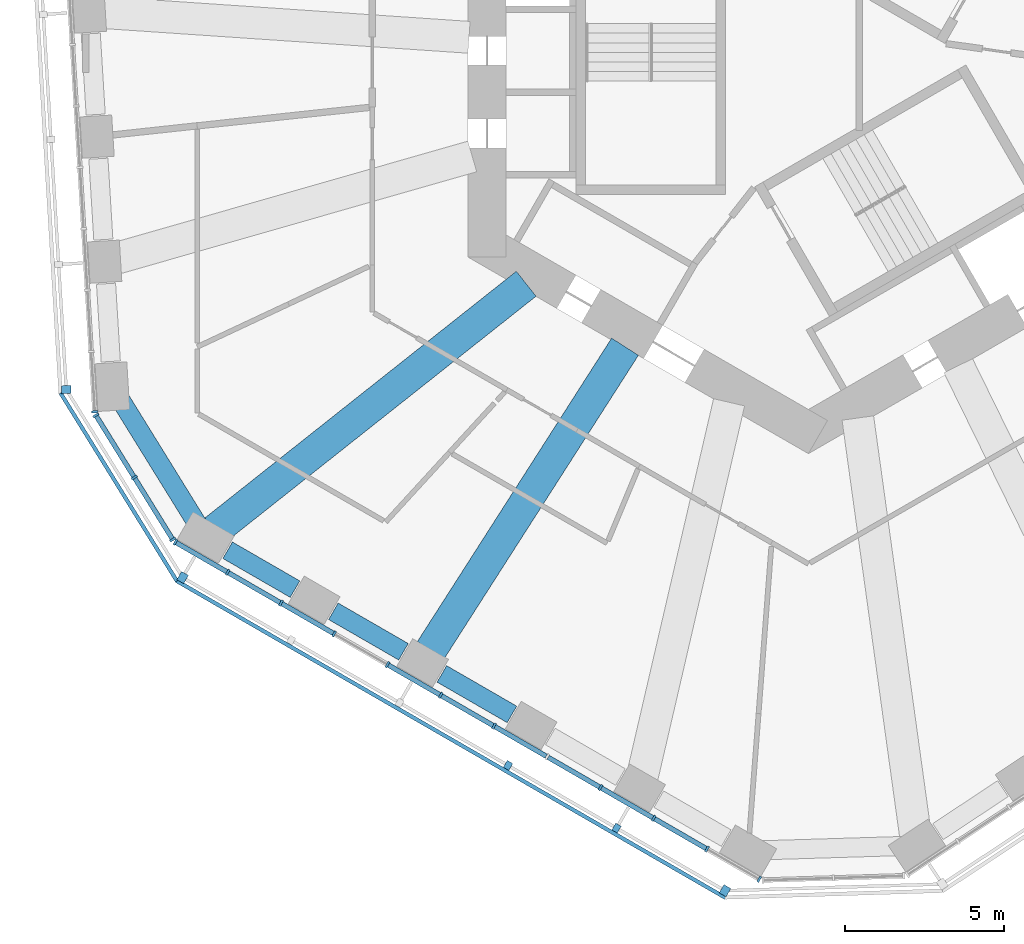
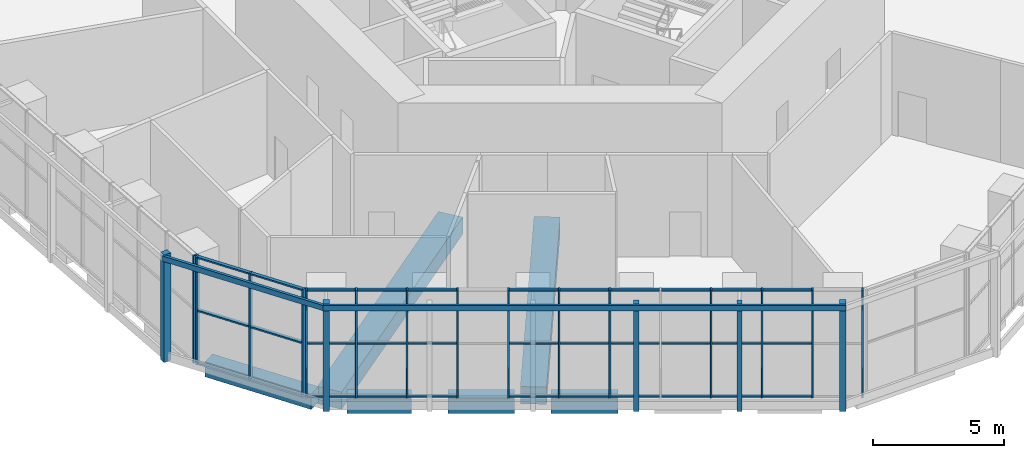
# One storey, part 2 of 19: 55 members, 6 beams, 6 elements without a shape of their own.
"""IFC4 building model written with IfcOpenShell, lengths in metres."""

import ifcopenshell
import ifcopenshell.guid

model = None  # the IFC model being written
_history = None  # IfcOwnerHistory: only IFC2X3 demands one
_inside = {}  # id of a spatial element -> (the spatial element, [elements in it])
_under = {}  # id of a project, library or spatial element -> (it, [spatial elements below it])
_declared = {}  # id of a project -> (the project, [libraries it declares])
_typed = {}  # id of a type object -> (the type object, [elements of that type])
_made_of = {}  # id of a material, layer set ... -> (it, [elements and type objects made of it])


def new_model(schema):
    """Start an empty IFC model of exactly this schema.

    Asked for "IFC4X3", IfcOpenShell would pick the latest addendum, in which some entities
    have other attributes; the version numbers below select the first issue.
    IFC2X3 requires an IfcOwnerHistory on every rooted entity: one is made here for all.
    """
    global model, _history
    if schema == "IFC4X3":
        model = ifcopenshell.file(schema_version=(4, 3, 0, 0))
    else:
        model = ifcopenshell.file(schema=schema)
    _inside.clear()
    _under.clear()
    _declared.clear()
    _typed.clear()
    _made_of.clear()
    _history = None
    if model.schema == "IFC2X3":
        org = make("IfcOrganization", Name="unknown")
        user = make(
            "IfcPersonAndOrganization",
            ThePerson=make("IfcPerson", FamilyName="unknown"),
            TheOrganization=org,
        )
        app = make(
            "IfcApplication",
            ApplicationDeveloper=org,
            Version="unknown",
            ApplicationFullName="unknown",
            ApplicationIdentifier="unknown",
        )
        _history = make(
            "IfcOwnerHistory",
            OwningUser=user,
            OwningApplication=app,
            ChangeAction="ADDED",
            CreationDate=0,
        )
    return model


def make(cls, **values):
    """One entity of the class cls with the attributes given. An attribute that is None is left unset."""
    return model.create_entity(
        cls, **{name: value for name, value in values.items() if value is not None}
    )


def rooted(cls, **values):
    """An entity with a GlobalId (a new one), such as an element, a storey or a relation."""
    return make(cls, GlobalId=ifcopenshell.guid.new(), OwnerHistory=_history, **values)


def si_unit(unit_type, name, prefix=None):
    """IfcSIUnit, for example si_unit("LENGTHUNIT", "METRE", prefix="MILLI")."""
    return make("IfcSIUnit", UnitType=unit_type, Prefix=prefix, Name=name)


def assignment(units):
    """IfcUnitAssignment: the units of a project."""
    return None if units is None else make("IfcUnitAssignment", Units=units)


def point(xyz):
    """IfcCartesianPoint."""
    return None if xyz is None else make("IfcCartesianPoint", Coordinates=xyz)


def direction(xyz):
    """IfcDirection."""
    return None if xyz is None else make("IfcDirection", DirectionRatios=xyz)


def frame(location, z_axis=None, x_axis=None):
    """IfcAxis2Placement3D, a coordinate frame: its origin and axes. An axis left out is left unset."""
    return make(
        "IfcAxis2Placement3D",
        Location=point(location),
        Axis=direction(z_axis),
        RefDirection=direction(x_axis),
    )


def frame_2d(location, x_axis=None):
    """IfcAxis2Placement2D, a coordinate frame in the plane: its origin and x axis."""
    return make(
        "IfcAxis2Placement2D", Location=point(location), RefDirection=direction(x_axis)
    )


def origin():
    """The frame at (0, 0, 0) with its axes left unset."""
    return frame((0.0, 0.0, 0.0))


def origin_2d():
    """The frame at (0, 0) in the plane with its x axis left unset."""
    return frame_2d((0.0, 0.0))


def place(relative_to, where):
    """IfcLocalPlacement: puts the frame where relative to a parent placement (None: the world)."""
    return make(
        "IfcLocalPlacement", PlacementRelTo=relative_to, RelativePlacement=where
    )


def context(
    kind, dimensions, precision=None, world=None, true_north=None, identifier=None
):
    """IfcGeometricRepresentationContext, for example the 3D "Model" context."""
    return make(
        "IfcGeometricRepresentationContext",
        ContextIdentifier=identifier,
        ContextType=kind,
        CoordinateSpaceDimension=dimensions,
        Precision=precision,
        WorldCoordinateSystem=world,
        TrueNorth=true_north,
    )


def subcontext(parent, identifier, kind, view, scale=None):
    """IfcGeometricRepresentationSubContext, for example "Body" below "Model"."""
    return make(
        "IfcGeometricRepresentationSubContext",
        ContextIdentifier=identifier,
        ContextType=kind,
        ParentContext=parent,
        TargetScale=scale,
        TargetView=view,
    )


def project(units=None, contexts=None):
    """IfcProject with its units and contexts."""
    return rooted(
        "IfcProject",
        Name="project",
        RepresentationContexts=contexts,
        UnitsInContext=assignment(units),
    )


def spatial(cls, under=None, at=None, **own):
    """A site, building, storey or space (cls), placed at a placement, below another one or the project."""
    s = rooted(cls, ObjectPlacement=at, **own)
    if under is not None:
        _under.setdefault(under.id(), (under, []))[1].append(s)
    return s


def profile(cls, at=None, kind="AREA", **sizes):
    """A parametric profile (cls). Its sizes go by their IFC names, for example OverallWidth=200.0."""
    return make(cls, ProfileType=kind, Position=at, **sizes)


def rectangle(**sizes):
    """IfcRectangleProfileDef."""
    return profile("IfcRectangleProfileDef", **sizes)


def extrude(swept, where, along, depth):
    """IfcExtrudedAreaSolid: the profile swept, set in the frame where, extruded along a direction by depth."""
    return make(
        "IfcExtrudedAreaSolid",
        SweptArea=swept,
        Position=where,
        ExtrudedDirection=direction(along),
        Depth=depth,
    )


def shape(context_of_items, identifier, shape_type, items):
    """IfcShapeRepresentation: the items that make up one representation, for example the "Body"."""
    return make(
        "IfcShapeRepresentation",
        ContextOfItems=context_of_items,
        RepresentationIdentifier=identifier,
        RepresentationType=shape_type,
        Items=items,
    )


def material(Name=None, Category=None):
    """IfcMaterial."""
    return make("IfcMaterial", Name=Name, Category=Category)


def material_profile(
    of_material, cross_section, Name=None, Category=None, Priority=None
):
    """IfcMaterialProfile: a cross section and its material."""
    return make(
        "IfcMaterialProfile",
        Name=Name,
        Material=of_material,
        Profile=cross_section,
        Priority=Priority,
        Category=Category,
    )


def profile_set(profiles, Name=None, composite=None):
    """IfcMaterialProfileSet."""
    return make(
        "IfcMaterialProfileSet",
        Name=Name,
        MaterialProfiles=profiles,
        CompositeProfile=composite,
    )


def made_of(thing, what):
    """Note that an element or type object is made of a material, layer set ...; save() writes the relation."""
    if what is not None:
        _made_of.setdefault(what.id(), (what, []))[1].append(thing)
    return thing


def type_object(cls, material=None, **own):
    """A type object (cls), such as IfcWallType, which elements share."""
    return made_of(rooted(cls, **own), material)


def element(
    cls,
    number,
    at=None,
    inside=None,
    cuts=None,
    type_object=None,
    material=None,
    context=None,
    identifier="Body",
    shape_type=None,
    held_by="IfcProductDefinitionShape",
    body=None,
    shapes=None,
    **own,
):
    """One element of the class cls, such as IfcWall. Its Tag is "e" and its number.

    at: its placement. inside: the storey or other place that contains it. cuts: it is an
    opening in that element (IfcRelVoidsElement). A single representation is given by context,
    identifier, shape_type and body (its items); several are given by shapes. held_by: the class
    of the entity that holds the representations. save() writes the other relations.
    """
    e = rooted(cls, Tag="e%d" % number, ObjectPlacement=at, **own)
    if body is not None:
        shapes = [shape(context, identifier, shape_type, body)]
    if shapes is not None:
        e.Representation = make(held_by, Representations=shapes)
    if inside is not None:
        _inside.setdefault(inside.id(), (inside, []))[1].append(e)
    if cuts is not None:
        rooted(
            "IfcRelVoidsElement", RelatingBuildingElement=cuts, RelatedOpeningElement=e
        )
    if type_object is not None:
        _typed.setdefault(type_object.id(), (type_object, []))[1].append(e)
    return made_of(e, material)


def aggregate(whole, parts):
    """IfcRelAggregates: a whole, such as a stair, and the parts it consists of."""
    return rooted("IfcRelAggregates", RelatingObject=whole, RelatedObjects=parts)


def save(model, path):
    """Write the relations noted so far, then the file.

    IfcRelAggregates (storeys below a building ...), IfcRelContainedInSpatialStructure (elements
    in a storey), IfcRelDefinesByType, IfcRelAssociatesMaterial and IfcRelDeclares: one each for
    every whole, place, type object, material and project.
    """
    for whole, parts in _under.values():
        aggregate(whole, parts)
    for where, things in _inside.values():
        rooted(
            "IfcRelContainedInSpatialStructure",
            RelatedElements=things,
            RelatingStructure=where,
        )
    for kind, things in _typed.values():
        rooted("IfcRelDefinesByType", RelatedObjects=things, RelatingType=kind)
    for what, things in _made_of.values():
        rooted("IfcRelAssociatesMaterial", RelatedObjects=things, RelatingMaterial=what)
    for by, libraries in _declared.values():
        rooted("IfcRelDeclares", RelatingContext=by, RelatedDefinitions=libraries)
    model.write(path)


model = new_model("IFC4")

# Units and contexts
model_context = context("Model", 3, precision=1e-05, world=origin(), true_north=direction((0.0, 1.0)))
body_context = subcontext(model_context, "Body", "Model", "MODEL_VIEW")
ifc_project = project(units=[si_unit("LENGTHUNIT", "METRE"), si_unit("AREAUNIT", "SQUARE_METRE"), si_unit("VOLUMEUNIT", "CUBIC_METRE"), si_unit("PLANEANGLEUNIT", "RADIAN"), si_unit("MASSUNIT", "GRAM", prefix="KILO")], contexts=[model_context])

# Site, building, storey
site_placement = place(None, origin())
site = spatial("IfcSite", under=ifc_project, at=site_placement, CompositionType="ELEMENT")
building_placement = place(site_placement, origin())
building = spatial("IfcBuilding", under=site, at=building_placement, Name="Vanh Sen Convention Tower", CompositionType="ELEMENT")
storey_placement = place(building_placement, frame((0.0, 0.0, 39.0)))
storey = spatial("IfcBuildingStorey", under=building, at=storey_placement, Name="L06", CompositionType="ELEMENT", Elevation=39.0)

# Curtain wall, member
ifc_material_1 = material(Name="Aluminium structural glazing system", Category="aluminium")
curtain_wall_type_1 = type_object("IfcCurtainWallType", Name="Hotel lobby structural glazing", PredefinedType="NOTDEFINED", material=ifc_material_1)
curtain_wall_1_placement = place(storey_placement, origin())
curtain_wall_1 = element("IfcCurtainWall", 1, at=curtain_wall_1_placement, inside=storey, type_object=curtain_wall_type_1, Name="Hotel lobby glazing W L06", PredefinedType="NOTDEFINED")
ifc_material_2 = material(Name="Aluminium mullion", Category="aluminium")
ifc_material_profile_1 = material_profile(ifc_material_2, rectangle(XDim=0.199951171875, YDim=0.070068359375, at=origin_2d()), Name="Lobby glazing mullion 70 x 200")
ifc_profile_set_1 = profile_set([ifc_material_profile_1], Name="Aluminium mullion")
member_type_1 = type_object("IfcMemberType", Name="Lobby glazing mullion 70 x 200", PredefinedType="MULLION", material=ifc_profile_set_1)
member_1_placement = place(storey_placement, frame((-22.417724609375, -11.040771484375, 0.0), z_axis=(0.0, 0.0, 1.0), x_axis=(0.99813494532, 0.06104613772, 0.0)))
member_1 = element("IfcMember", 2, at=member_1_placement, type_object=member_type_1, Name="CW2 mullion 12", PredefinedType="MULLION", context=body_context, shape_type="SweptSolid", body=[
    extrude(rectangle(XDim=0.199951171875, YDim=0.070068359375, at=origin_2d()), origin(), (0.0, 0.0, 1.0), 5.0),
])
aggregate(curtain_wall_1, [member_1])

# Curtain wall, members
curtain_wall_2_placement = place(storey_placement, origin())
curtain_wall_2 = element("IfcCurtainWall", 3, at=curtain_wall_2_placement, inside=storey, type_object=curtain_wall_type_1, Name="Hotel lobby glazing CH4 L06", PredefinedType="NOTDEFINED")
member_2_placement = place(storey_placement, frame((-22.382568359375, -11.152099609375, 0.0), z_axis=(0.0, 0.0, 1.0), x_axis=(0.850347004628, 0.526222359578, 0.0)))
member_2 = element("IfcMember", 4, at=member_2_placement, type_object=member_type_1, Name="CW2 mullion 1", PredefinedType="MULLION", context=body_context, shape_type="SweptSolid", body=[
    extrude(rectangle(XDim=0.199951171875, YDim=0.070068359375, at=origin_2d()), origin(), (0.0, 0.0, 1.0), 5.0),
])
member_3_placement = place(storey_placement, frame((-21.1748046875, -13.103515625, 0.0), z_axis=(0.0, 0.0, 1.0), x_axis=(0.850347004628, 0.526222359578, 0.0)))
member_3 = element("IfcMember", 5, at=member_3_placement, type_object=member_type_1, Name="CW2 mullion 2", PredefinedType="MULLION", context=body_context, shape_type="SweptSolid", body=[
    extrude(rectangle(XDim=0.199951171875, YDim=0.070068359375, at=origin_2d()), origin(), (0.0, 0.0, 1.0), 5.0),
])
member_4_placement = place(storey_placement, frame((-19.96728515625, -15.054931640625, 0.0), z_axis=(0.0, 0.0, 1.0), x_axis=(0.850347004628, 0.526222359578, 0.0)))
member_4 = element("IfcMember", 6, at=member_4_placement, type_object=member_type_1, Name="CW2 mullion 3", PredefinedType="MULLION", context=body_context, shape_type="SweptSolid", body=[
    extrude(rectangle(XDim=0.199951171875, YDim=0.070068359375, at=origin_2d()), origin(), (0.0, 0.0, 1.0), 5.0),
])

curtain_wall_3_placement = place(storey_placement, origin())
curtain_wall_3 = element("IfcCurtainWall", 7, at=curtain_wall_3_placement, inside=storey, type_object=curtain_wall_type_1, Name="Hotel lobby glazing SW L06", PredefinedType="NOTDEFINED")
member_5_placement = place(storey_placement, frame((-19.883544921875, -15.135986328125, 0.0), z_axis=(0.0, 0.0, 1.0), x_axis=(0.499997467254, 0.866026866061, 0.0)))
member_5 = element("IfcMember", 8, at=member_5_placement, type_object=member_type_1, Name="CW2 mullion 1", PredefinedType="MULLION", context=body_context, shape_type="SweptSolid", body=[
    extrude(rectangle(XDim=0.199951171875, YDim=0.070068359375, at=origin_2d()), origin(), (0.0, 0.0, 1.0), 5.0),
])
member_6_placement = place(storey_placement, frame((-18.2412109375, -16.084228515625, 0.0), z_axis=(0.0, 0.0, 1.0), x_axis=(0.499997467254, 0.866026866061, 0.0)))
member_6 = element("IfcMember", 9, at=member_6_placement, type_object=member_type_1, Name="CW2 mullion 2", PredefinedType="MULLION", context=body_context, shape_type="SweptSolid", body=[
    extrude(rectangle(XDim=0.199951171875, YDim=0.070068359375, at=origin_2d()), origin(), (0.0, 0.0, 1.0), 5.0),
])
member_7_placement = place(storey_placement, frame((-16.568603515625, -17.050048828125, 0.0), z_axis=(0.0, 0.0, 1.0), x_axis=(0.499997467254, 0.866026866061, 0.0)))
member_7 = element("IfcMember", 10, at=member_7_placement, type_object=member_type_1, Name="CW2 mullion 3", PredefinedType="MULLION", context=body_context, shape_type="SweptSolid", body=[
    extrude(rectangle(XDim=0.199951171875, YDim=0.070068359375, at=origin_2d()), origin(), (0.0, 0.0, 1.0), 5.0),
])
member_8_placement = place(storey_placement, frame((-14.895751953125, -18.015869140625, 0.0), z_axis=(0.0, 0.0, 1.0), x_axis=(0.499997467254, 0.866026866061, 0.0)))
member_8 = element("IfcMember", 11, at=member_8_placement, type_object=member_type_1, Name="CW2 mullion 4", PredefinedType="MULLION", context=body_context, shape_type="SweptSolid", body=[
    extrude(rectangle(XDim=0.199951171875, YDim=0.070068359375, at=origin_2d()), origin(), (0.0, 0.0, 1.0), 5.0),
])
member_9_placement = place(storey_placement, frame((-13.22314453125, -18.9814453125, 0.0), z_axis=(0.0, 0.0, 1.0), x_axis=(0.499997467254, 0.866026866061, 0.0)))
member_9 = element("IfcMember", 12, at=member_9_placement, type_object=member_type_1, Name="CW2 mullion 5", PredefinedType="MULLION", context=body_context, shape_type="SweptSolid", body=[
    extrude(rectangle(XDim=0.199951171875, YDim=0.070068359375, at=origin_2d()), origin(), (0.0, 0.0, 1.0), 5.0),
])
member_10_placement = place(storey_placement, frame((-11.55029296875, -19.947265625, 0.0), z_axis=(0.0, 0.0, 1.0), x_axis=(0.499997467254, 0.866026866061, 0.0)))
member_10 = element("IfcMember", 13, at=member_10_placement, type_object=member_type_1, Name="CW2 mullion 6", PredefinedType="MULLION", context=body_context, shape_type="SweptSolid", body=[
    extrude(rectangle(XDim=0.199951171875, YDim=0.070068359375, at=origin_2d()), origin(), (0.0, 0.0, 1.0), 5.0),
])
member_11_placement = place(storey_placement, frame((-9.877685546875, -20.912841796875, 0.0), z_axis=(0.0, 0.0, 1.0), x_axis=(0.499997467254, 0.866026866061, 0.0)))
member_11 = element("IfcMember", 14, at=member_11_placement, type_object=member_type_1, Name="CW2 mullion 7", PredefinedType="MULLION", context=body_context, shape_type="SweptSolid", body=[
    extrude(rectangle(XDim=0.199951171875, YDim=0.070068359375, at=origin_2d()), origin(), (0.0, 0.0, 1.0), 5.0),
])
member_12_placement = place(storey_placement, frame((-6.5322265625, -22.844482421875, 0.0), z_axis=(0.0, 0.0, 1.0), x_axis=(0.499997467254, 0.866026866061, 0.0)))
member_12 = element("IfcMember", 15, at=member_12_placement, type_object=member_type_1, Name="CW2 mullion 9", PredefinedType="MULLION", context=body_context, shape_type="SweptSolid", body=[
    extrude(rectangle(XDim=0.199951171875, YDim=0.070068359375, at=origin_2d()), origin(), (0.0, 0.0, 1.0), 5.0),
])
member_13_placement = place(storey_placement, frame((-4.859619140625, -23.81005859375, 0.0), z_axis=(0.0, 0.0, 1.0), x_axis=(0.499997467254, 0.866026866061, 0.0)))
member_13 = element("IfcMember", 16, at=member_13_placement, type_object=member_type_1, Name="CW2 mullion 10", PredefinedType="MULLION", context=body_context, shape_type="SweptSolid", body=[
    extrude(rectangle(XDim=0.199951171875, YDim=0.070068359375, at=origin_2d()), origin(), (0.0, 0.0, 1.0), 5.0),
])
member_14_placement = place(storey_placement, frame((-3.18701171875, -24.77587890625, 0.0), z_axis=(0.0, 0.0, 1.0), x_axis=(0.499997467254, 0.866026866061, 0.0)))
member_14 = element("IfcMember", 17, at=member_14_placement, type_object=member_type_1, Name="CW2 mullion 11", PredefinedType="MULLION", context=body_context, shape_type="SweptSolid", body=[
    extrude(rectangle(XDim=0.199951171875, YDim=0.070068359375, at=origin_2d()), origin(), (0.0, 0.0, 1.0), 5.0),
])
member_15_placement = place(storey_placement, frame((-1.54443359375, -25.72412109375, 0.0), z_axis=(0.0, 0.0, 1.0), x_axis=(0.499997467254, 0.866026866061, 0.0)))
member_15 = element("IfcMember", 18, at=member_15_placement, type_object=member_type_1, Name="CW2 mullion 12", PredefinedType="MULLION", context=body_context, shape_type="SweptSolid", body=[
    extrude(rectangle(XDim=0.199951171875, YDim=0.070068359375, at=origin_2d()), origin(), (0.0, 0.0, 1.0), 5.0),
])

# Member
ifc_material_3 = material(Name="Aluminium transom", Category="aluminium")
ifc_material_profile_2 = material_profile(ifc_material_3, rectangle(XDim=0.14990234375, YDim=0.070068359375, at=origin_2d()), Name="Lobby glazing transom 150 x 70")
ifc_profile_set_2 = profile_set([ifc_material_profile_2], Name="Aluminium transom")
member_type_2 = type_object("IfcMemberType", Name="Lobby glazing transom 150 x 70", PredefinedType="USERDEFINED", material=ifc_profile_set_2)
member_16_placement = place(storey_placement, frame((-22.364013671875, -11.181884765625, 0.034912109375), z_axis=(0.526195934426, -0.850363356803, 0.0), x_axis=(0.850363356803, 0.526195934426, 0.0)))
member_16 = element("IfcMember", 19, at=member_16_placement, type_object=member_type_2, Name="CW2 transom 1.1", ObjectType="TRANSOM", PredefinedType="USERDEFINED", context=body_context, shape_type="SweptSolid", body=[
    extrude(rectangle(XDim=0.14990234375, YDim=0.070068359375, at=origin_2d()), origin(), (0.0, 0.0, 1.0), 2.224853515625),
])

member_17_placement = place(storey_placement, frame((-22.364013671875, -11.181884765625, 2.5), z_axis=(0.526195934426, -0.850363356803, 0.0), x_axis=(0.850363356803, 0.526195934426, 0.0)))
member_17 = element("IfcMember", 20, at=member_17_placement, type_object=member_type_2, Name="CW2 transom 1.2", ObjectType="TRANSOM", PredefinedType="USERDEFINED", context=body_context, shape_type="SweptSolid", body=[
    extrude(rectangle(XDim=0.14990234375, YDim=0.070068359375, at=origin_2d()), origin(), (0.0, 0.0, 1.0), 2.224853515625),
])

member_18_placement = place(storey_placement, frame((-22.364013671875, -11.181884765625, 4.965087890625), z_axis=(0.526195934426, -0.850363356803, 0.0), x_axis=(0.850363356803, 0.526195934426, 0.0)))
member_18 = element("IfcMember", 21, at=member_18_placement, type_object=member_type_2, Name="CW2 transom 1.3", ObjectType="TRANSOM", PredefinedType="USERDEFINED", context=body_context, shape_type="SweptSolid", body=[
    extrude(rectangle(XDim=0.14990234375, YDim=0.070068359375, at=origin_2d()), origin(), (0.0, 0.0, 1.0), 2.224853515625),
])

member_19_placement = place(storey_placement, frame((-21.156494140625, -13.13330078125, 0.034912109375), z_axis=(0.526195934426, -0.850363356803, 0.0), x_axis=(0.850363356803, 0.526195934426, 0.0)))
member_19 = element("IfcMember", 22, at=member_19_placement, type_object=member_type_2, Name="CW2 transom 2.1", ObjectType="TRANSOM", PredefinedType="USERDEFINED", context=body_context, shape_type="SweptSolid", body=[
    extrude(rectangle(XDim=0.14990234375, YDim=0.070068359375, at=origin_2d()), origin(), (0.0, 0.0, 1.0), 2.224853515625),
])

member_20_placement = place(storey_placement, frame((-21.156494140625, -13.13330078125, 2.5), z_axis=(0.526195934426, -0.850363356803, 0.0), x_axis=(0.850363356803, 0.526195934426, 0.0)))
member_20 = element("IfcMember", 23, at=member_20_placement, type_object=member_type_2, Name="CW2 transom 2.2", ObjectType="TRANSOM", PredefinedType="USERDEFINED", context=body_context, shape_type="SweptSolid", body=[
    extrude(rectangle(XDim=0.14990234375, YDim=0.070068359375, at=origin_2d()), origin(), (0.0, 0.0, 1.0), 2.224853515625),
])

member_21_placement = place(storey_placement, frame((-21.156494140625, -13.13330078125, 4.965087890625), z_axis=(0.526195934426, -0.850363356803, 0.0), x_axis=(0.850363356803, 0.526195934426, 0.0)))
member_21 = element("IfcMember", 24, at=member_21_placement, type_object=member_type_2, Name="CW2 transom 2.3", ObjectType="TRANSOM", PredefinedType="USERDEFINED", context=body_context, shape_type="SweptSolid", body=[
    extrude(rectangle(XDim=0.14990234375, YDim=0.070068359375, at=origin_2d()), origin(), (0.0, 0.0, 1.0), 2.224853515625),
])

aggregate(curtain_wall_2, [member_2, member_3, member_4, member_16, member_17, member_18, member_19, member_20, member_21])

member_22_placement = place(storey_placement, frame((-19.853271484375, -15.153564453125, 0.034912109375), z_axis=(0.866005284363, -0.500034846242, 0.0), x_axis=(0.500034846242, 0.866005284363, 0.0)))
member_22 = element("IfcMember", 25, at=member_22_placement, type_object=member_type_2, Name="CW2 transom 1.1", ObjectType="TRANSOM", PredefinedType="USERDEFINED", context=body_context, shape_type="SweptSolid", body=[
    extrude(rectangle(XDim=0.14990234375, YDim=0.070068359375, at=origin_2d()), origin(), (0.0, 0.0, 1.0), 1.826416015625),
])

member_23_placement = place(storey_placement, frame((-19.853271484375, -15.153564453125, 2.5), z_axis=(0.866005284363, -0.500034846242, 0.0), x_axis=(0.500034846242, 0.866005284363, 0.0)))
member_23 = element("IfcMember", 26, at=member_23_placement, type_object=member_type_2, Name="CW2 transom 1.2", ObjectType="TRANSOM", PredefinedType="USERDEFINED", context=body_context, shape_type="SweptSolid", body=[
    extrude(rectangle(XDim=0.14990234375, YDim=0.070068359375, at=origin_2d()), origin(), (0.0, 0.0, 1.0), 1.826416015625),
])

member_24_placement = place(storey_placement, frame((-19.853271484375, -15.153564453125, 4.965087890625), z_axis=(0.866005284363, -0.500034846242, 0.0), x_axis=(0.500034846242, 0.866005284363, 0.0)))
member_24 = element("IfcMember", 27, at=member_24_placement, type_object=member_type_2, Name="CW2 transom 1.3", ObjectType="TRANSOM", PredefinedType="USERDEFINED", context=body_context, shape_type="SweptSolid", body=[
    extrude(rectangle(XDim=0.14990234375, YDim=0.070068359375, at=origin_2d()), origin(), (0.0, 0.0, 1.0), 1.826416015625),
])

member_25_placement = place(storey_placement, frame((-18.2109375, -16.101806640625, 0.034912109375), z_axis=(0.866039251212, -0.499976014784, 0.0), x_axis=(0.499976014784, 0.866039251212, 0.0)))
member_25 = element("IfcMember", 28, at=member_25_placement, type_object=member_type_2, Name="CW2 transom 2.1", ObjectType="TRANSOM", PredefinedType="USERDEFINED", context=body_context, shape_type="SweptSolid", body=[
    extrude(rectangle(XDim=0.14990234375, YDim=0.070068359375, at=origin_2d()), origin(), (0.0, 0.0, 1.0), 1.861328125),
])

member_26_placement = place(storey_placement, frame((-18.2109375, -16.101806640625, 2.5), z_axis=(0.866039251212, -0.499976014784, 0.0), x_axis=(0.499976014784, 0.866039251212, 0.0)))
member_26 = element("IfcMember", 29, at=member_26_placement, type_object=member_type_2, Name="CW2 transom 2.2", ObjectType="TRANSOM", PredefinedType="USERDEFINED", context=body_context, shape_type="SweptSolid", body=[
    extrude(rectangle(XDim=0.14990234375, YDim=0.070068359375, at=origin_2d()), origin(), (0.0, 0.0, 1.0), 1.861328125),
])

member_27_placement = place(storey_placement, frame((-18.2109375, -16.101806640625, 4.965087890625), z_axis=(0.866039251212, -0.499976014784, 0.0), x_axis=(0.499976014784, 0.866039251212, 0.0)))
member_27 = element("IfcMember", 30, at=member_27_placement, type_object=member_type_2, Name="CW2 transom 2.3", ObjectType="TRANSOM", PredefinedType="USERDEFINED", context=body_context, shape_type="SweptSolid", body=[
    extrude(rectangle(XDim=0.14990234375, YDim=0.070068359375, at=origin_2d()), origin(), (0.0, 0.0, 1.0), 1.861328125),
])

member_28_placement = place(storey_placement, frame((-16.5380859375, -17.067626953125, 0.034912109375), z_axis=(0.866039251212, -0.499976014784, 0.0), x_axis=(0.499976014784, 0.866039251212, 0.0)))
member_28 = element("IfcMember", 31, at=member_28_placement, type_object=member_type_2, Name="CW2 transom 3.1", ObjectType="TRANSOM", PredefinedType="USERDEFINED", context=body_context, shape_type="SweptSolid", body=[
    extrude(rectangle(XDim=0.14990234375, YDim=0.070068359375, at=origin_2d()), origin(), (0.0, 0.0, 1.0), 1.861328125),
])

member_29_placement = place(storey_placement, frame((-16.5380859375, -17.067626953125, 2.5), z_axis=(0.866039251212, -0.499976014784, 0.0), x_axis=(0.499976014784, 0.866039251212, 0.0)))
member_29 = element("IfcMember", 32, at=member_29_placement, type_object=member_type_2, Name="CW2 transom 3.2", ObjectType="TRANSOM", PredefinedType="USERDEFINED", context=body_context, shape_type="SweptSolid", body=[
    extrude(rectangle(XDim=0.14990234375, YDim=0.070068359375, at=origin_2d()), origin(), (0.0, 0.0, 1.0), 1.861328125),
])

member_30_placement = place(storey_placement, frame((-16.5380859375, -17.067626953125, 4.965087890625), z_axis=(0.866039251212, -0.499976014784, 0.0), x_axis=(0.499976014784, 0.866039251212, 0.0)))
member_30 = element("IfcMember", 33, at=member_30_placement, type_object=member_type_2, Name="CW2 transom 3.3", ObjectType="TRANSOM", PredefinedType="USERDEFINED", context=body_context, shape_type="SweptSolid", body=[
    extrude(rectangle(XDim=0.14990234375, YDim=0.070068359375, at=origin_2d()), origin(), (0.0, 0.0, 1.0), 1.861328125),
])

member_31_placement = place(storey_placement, frame((-13.19287109375, -18.9990234375, 0.034912109375), z_axis=(0.866039251212, -0.499976014784, 0.0), x_axis=(0.499976014784, 0.866039251212, 0.0)))
member_31 = element("IfcMember", 34, at=member_31_placement, type_object=member_type_2, Name="CW2 transom 5.1", ObjectType="TRANSOM", PredefinedType="USERDEFINED", context=body_context, shape_type="SweptSolid", body=[
    extrude(rectangle(XDim=0.14990234375, YDim=0.070068359375, at=origin_2d()), origin(), (0.0, 0.0, 1.0), 1.861328125),
])

member_32_placement = place(storey_placement, frame((-13.19287109375, -18.9990234375, 2.5), z_axis=(0.866039251212, -0.499976014784, 0.0), x_axis=(0.499976014784, 0.866039251212, 0.0)))
member_32 = element("IfcMember", 35, at=member_32_placement, type_object=member_type_2, Name="CW2 transom 5.2", ObjectType="TRANSOM", PredefinedType="USERDEFINED", context=body_context, shape_type="SweptSolid", body=[
    extrude(rectangle(XDim=0.14990234375, YDim=0.070068359375, at=origin_2d()), origin(), (0.0, 0.0, 1.0), 1.861328125),
])

member_33_placement = place(storey_placement, frame((-13.19287109375, -18.9990234375, 4.965087890625), z_axis=(0.866039251212, -0.499976014784, 0.0), x_axis=(0.499976014784, 0.866039251212, 0.0)))
member_33 = element("IfcMember", 36, at=member_33_placement, type_object=member_type_2, Name="CW2 transom 5.3", ObjectType="TRANSOM", PredefinedType="USERDEFINED", context=body_context, shape_type="SweptSolid", body=[
    extrude(rectangle(XDim=0.14990234375, YDim=0.070068359375, at=origin_2d()), origin(), (0.0, 0.0, 1.0), 1.861328125),
])

member_34_placement = place(storey_placement, frame((-11.52001953125, -19.96484375, 0.034912109375), z_axis=(0.866039251212, -0.499976014784, 0.0), x_axis=(0.499976014784, 0.866039251212, 0.0)))
member_34 = element("IfcMember", 37, at=member_34_placement, type_object=member_type_2, Name="CW2 transom 6.1", ObjectType="TRANSOM", PredefinedType="USERDEFINED", context=body_context, shape_type="SweptSolid", body=[
    extrude(rectangle(XDim=0.14990234375, YDim=0.070068359375, at=origin_2d()), origin(), (0.0, 0.0, 1.0), 1.861328125),
])

member_35_placement = place(storey_placement, frame((-11.52001953125, -19.96484375, 2.5), z_axis=(0.866039251212, -0.499976014784, 0.0), x_axis=(0.499976014784, 0.866039251212, 0.0)))
member_35 = element("IfcMember", 38, at=member_35_placement, type_object=member_type_2, Name="CW2 transom 6.2", ObjectType="TRANSOM", PredefinedType="USERDEFINED", context=body_context, shape_type="SweptSolid", body=[
    extrude(rectangle(XDim=0.14990234375, YDim=0.070068359375, at=origin_2d()), origin(), (0.0, 0.0, 1.0), 1.861328125),
])

member_36_placement = place(storey_placement, frame((-11.52001953125, -19.96484375, 4.965087890625), z_axis=(0.866039251212, -0.499976014784, 0.0), x_axis=(0.499976014784, 0.866039251212, 0.0)))
member_36 = element("IfcMember", 39, at=member_36_placement, type_object=member_type_2, Name="CW2 transom 6.3", ObjectType="TRANSOM", PredefinedType="USERDEFINED", context=body_context, shape_type="SweptSolid", body=[
    extrude(rectangle(XDim=0.14990234375, YDim=0.070068359375, at=origin_2d()), origin(), (0.0, 0.0, 1.0), 1.861328125),
])

member_37_placement = place(storey_placement, frame((-9.847412109375, -20.930419921875, 0.034912109375), z_axis=(0.866039251212, -0.499976014784, 0.0), x_axis=(0.499976014784, 0.866039251212, 0.0)))
member_37 = element("IfcMember", 40, at=member_37_placement, type_object=member_type_2, Name="CW2 transom 7.1", ObjectType="TRANSOM", PredefinedType="USERDEFINED", context=body_context, shape_type="SweptSolid", body=[
    extrude(rectangle(XDim=0.14990234375, YDim=0.070068359375, at=origin_2d()), origin(), (0.0, 0.0, 1.0), 1.861328125),
])

member_38_placement = place(storey_placement, frame((-9.847412109375, -20.930419921875, 2.5), z_axis=(0.866039251212, -0.499976014784, 0.0), x_axis=(0.499976014784, 0.866039251212, 0.0)))
member_38 = element("IfcMember", 41, at=member_38_placement, type_object=member_type_2, Name="CW2 transom 7.2", ObjectType="TRANSOM", PredefinedType="USERDEFINED", context=body_context, shape_type="SweptSolid", body=[
    extrude(rectangle(XDim=0.14990234375, YDim=0.070068359375, at=origin_2d()), origin(), (0.0, 0.0, 1.0), 1.861328125),
])

member_39_placement = place(storey_placement, frame((-9.847412109375, -20.930419921875, 4.965087890625), z_axis=(0.866039251212, -0.499976014784, 0.0), x_axis=(0.499976014784, 0.866039251212, 0.0)))
member_39 = element("IfcMember", 42, at=member_39_placement, type_object=member_type_2, Name="CW2 transom 7.3", ObjectType="TRANSOM", PredefinedType="USERDEFINED", context=body_context, shape_type="SweptSolid", body=[
    extrude(rectangle(XDim=0.14990234375, YDim=0.070068359375, at=origin_2d()), origin(), (0.0, 0.0, 1.0), 1.861328125),
])

member_40_placement = place(storey_placement, frame((-8.1748046875, -21.896240234375, 0.034912109375), z_axis=(0.866072032094, -0.499919228701, 0.0), x_axis=(0.499919228701, 0.866072032094, 0.0)))
member_40 = element("IfcMember", 43, at=member_40_placement, type_object=member_type_2, Name="CW2 transom 8.1", ObjectType="TRANSOM", PredefinedType="USERDEFINED", context=body_context, shape_type="SweptSolid", body=[
    extrude(rectangle(XDim=0.14990234375, YDim=0.070068359375, at=origin_2d()), origin(), (0.0, 0.0, 1.0), 1.861572265625),
])

member_41_placement = place(storey_placement, frame((-8.1748046875, -21.896240234375, 2.5), z_axis=(0.866072032094, -0.499919228701, 0.0), x_axis=(0.499919228701, 0.866072032094, 0.0)))
member_41 = element("IfcMember", 44, at=member_41_placement, type_object=member_type_2, Name="CW2 transom 8.2", ObjectType="TRANSOM", PredefinedType="USERDEFINED", context=body_context, shape_type="SweptSolid", body=[
    extrude(rectangle(XDim=0.14990234375, YDim=0.070068359375, at=origin_2d()), origin(), (0.0, 0.0, 1.0), 1.861572265625),
])

member_42_placement = place(storey_placement, frame((-8.1748046875, -21.896240234375, 4.965087890625), z_axis=(0.866072032094, -0.499919228701, 0.0), x_axis=(0.499919228701, 0.866072032094, 0.0)))
member_42 = element("IfcMember", 45, at=member_42_placement, type_object=member_type_2, Name="CW2 transom 8.3", ObjectType="TRANSOM", PredefinedType="USERDEFINED", context=body_context, shape_type="SweptSolid", body=[
    extrude(rectangle(XDim=0.14990234375, YDim=0.070068359375, at=origin_2d()), origin(), (0.0, 0.0, 1.0), 1.861572265625),
])

member_43_placement = place(storey_placement, frame((-6.501953125, -22.86181640625, 0.034912109375), z_axis=(0.865982457891, -0.500074377092, 0.0), x_axis=(0.500074377092, 0.865982457891, 0.0)))
member_43 = element("IfcMember", 46, at=member_43_placement, type_object=member_type_2, Name="CW2 transom 9.1", ObjectType="TRANSOM", PredefinedType="USERDEFINED", context=body_context, shape_type="SweptSolid", body=[
    extrude(rectangle(XDim=0.14990234375, YDim=0.070068359375, at=origin_2d()), origin(), (0.0, 0.0, 1.0), 1.861572265625),
])

member_44_placement = place(storey_placement, frame((-6.501953125, -22.86181640625, 2.5), z_axis=(0.865982457891, -0.500074377092, 0.0), x_axis=(0.500074377092, 0.865982457891, 0.0)))
member_44 = element("IfcMember", 47, at=member_44_placement, type_object=member_type_2, Name="CW2 transom 9.2", ObjectType="TRANSOM", PredefinedType="USERDEFINED", context=body_context, shape_type="SweptSolid", body=[
    extrude(rectangle(XDim=0.14990234375, YDim=0.070068359375, at=origin_2d()), origin(), (0.0, 0.0, 1.0), 1.861572265625),
])

member_45_placement = place(storey_placement, frame((-6.501953125, -22.86181640625, 4.965087890625), z_axis=(0.865982457891, -0.500074377092, 0.0), x_axis=(0.500074377092, 0.865982457891, 0.0)))
member_45 = element("IfcMember", 48, at=member_45_placement, type_object=member_type_2, Name="CW2 transom 9.3", ObjectType="TRANSOM", PredefinedType="USERDEFINED", context=body_context, shape_type="SweptSolid", body=[
    extrude(rectangle(XDim=0.14990234375, YDim=0.070068359375, at=origin_2d()), origin(), (0.0, 0.0, 1.0), 1.861572265625),
])

member_46_placement = place(storey_placement, frame((-4.829345703125, -23.82763671875, 0.034912109375), z_axis=(0.866039251212, -0.499976014784, 0.0), x_axis=(0.499976014784, 0.866039251212, 0.0)))
member_46 = element("IfcMember", 49, at=member_46_placement, type_object=member_type_2, Name="CW2 transom 10.1", ObjectType="TRANSOM", PredefinedType="USERDEFINED", context=body_context, shape_type="SweptSolid", body=[
    extrude(rectangle(XDim=0.14990234375, YDim=0.070068359375, at=origin_2d()), origin(), (0.0, 0.0, 1.0), 1.861328125),
])

member_47_placement = place(storey_placement, frame((-4.829345703125, -23.82763671875, 2.5), z_axis=(0.866039251212, -0.499976014784, 0.0), x_axis=(0.499976014784, 0.866039251212, 0.0)))
member_47 = element("IfcMember", 50, at=member_47_placement, type_object=member_type_2, Name="CW2 transom 10.2", ObjectType="TRANSOM", PredefinedType="USERDEFINED", context=body_context, shape_type="SweptSolid", body=[
    extrude(rectangle(XDim=0.14990234375, YDim=0.070068359375, at=origin_2d()), origin(), (0.0, 0.0, 1.0), 1.861328125),
])

member_48_placement = place(storey_placement, frame((-4.829345703125, -23.82763671875, 4.965087890625), z_axis=(0.866039251212, -0.499976014784, 0.0), x_axis=(0.499976014784, 0.866039251212, 0.0)))
member_48 = element("IfcMember", 51, at=member_48_placement, type_object=member_type_2, Name="CW2 transom 10.3", ObjectType="TRANSOM", PredefinedType="USERDEFINED", context=body_context, shape_type="SweptSolid", body=[
    extrude(rectangle(XDim=0.14990234375, YDim=0.070068359375, at=origin_2d()), origin(), (0.0, 0.0, 1.0), 1.861328125),
])

aggregate(curtain_wall_3, [member_5, member_6, member_7, member_8, member_9, member_10, member_11, member_12, member_13, member_14, member_15, member_22, member_23, member_24, member_25, member_26, member_27, member_28, member_29, member_30, member_31, member_32, member_33, member_34, member_35, member_36, member_37, member_38, member_39, member_40, member_41, member_42, member_43, member_44, member_45, member_46, member_47, member_48])

# Curtain wall, member
ifc_material_4 = material(Name="Concrete C50/60", Category="concrete")
curtain_wall_type_2 = type_object("IfcCurtainWallType", Name="Outer skin hotel zone", PredefinedType="NOTDEFINED", material=ifc_material_4)
curtain_wall_4_placement = place(storey_placement, origin())
curtain_wall_4 = element("IfcCurtainWall", 52, at=curtain_wall_4_placement, inside=storey, type_object=curtain_wall_type_2, Name="OUTER SKIN W L06", PredefinedType="NOTDEFINED")
ifc_material_profile_3 = material_profile(ifc_material_4, rectangle(XDim=0.25, YDim=0.300048828125, at=origin_2d()), Name="Outer skin precast corner fin 250 x 300")
ifc_profile_set_3 = profile_set([ifc_material_profile_3], Name="Concrete C50/60")
member_type_3 = type_object("IfcMemberType", Name="Outer skin precast corner fin 250 x 300", PredefinedType="MULLION", material=ifc_profile_set_3)
member_49_placement = place(storey_placement, frame((-23.31201171875, -10.341796875, 0.0), z_axis=(0.0, 0.0, 1.0), x_axis=(0.061048539535, -0.998134798422, 0.0)))
member_49 = element("IfcMember", 53, at=member_49_placement, type_object=member_type_3, Name="OUTER SKIN CORNER FIN 6 W L06", PredefinedType="MULLION", context=body_context, shape_type="SweptSolid", body=[
    extrude(rectangle(XDim=0.25, YDim=0.300048828125, at=origin_2d()), origin(), (0.0, 0.0, 1.0), 5.0),
])
aggregate(curtain_wall_4, [member_49])

# Curtain wall, members
curtain_wall_5_placement = place(storey_placement, origin())
curtain_wall_5 = element("IfcCurtainWall", 54, at=curtain_wall_5_placement, inside=storey, type_object=curtain_wall_type_2, Name="OUTER SKIN SW L06", PredefinedType="NOTDEFINED")
member_50_placement = place(storey_placement, frame((-19.656982421875, -16.248291015625, 0.0), z_axis=(0.0, 0.0, 1.0), x_axis=(0.866025403784, -0.5, 0.0)))
member_50 = element("IfcMember", 55, at=member_50_placement, type_object=member_type_3, Name="OUTER SKIN CORNER FIN 1 SW L06", PredefinedType="MULLION", context=body_context, shape_type="SweptSolid", body=[
    extrude(rectangle(XDim=0.25, YDim=0.300048828125, at=origin_2d()), origin(), (0.0, 0.0, 1.0), 5.0),
])
member_51_placement = place(storey_placement, frame((-2.61962890625, -26.084716796875, 0.0), z_axis=(0.0, 0.0, 1.0), x_axis=(0.866025403784, -0.5, 0.0)))
member_51 = element("IfcMember", 56, at=member_51_placement, type_object=member_type_3, Name="OUTER SKIN CORNER FIN 6 SW L06", PredefinedType="MULLION", context=body_context, shape_type="SweptSolid", body=[
    extrude(rectangle(XDim=0.25, YDim=0.300048828125, at=origin_2d()), origin(), (0.0, 0.0, 1.0), 5.0),
])
ifc_material_profile_4 = material_profile(ifc_material_4, rectangle(XDim=0.199951171875, YDim=0.25, at=origin_2d()), Name="Outer skin precast fin 200 x 250")
ifc_profile_set_4 = profile_set([ifc_material_profile_4], Name="Concrete C50/60")
member_type_4 = type_object("IfcMemberType", Name="Outer skin precast fin 200 x 250", PredefinedType="MULLION", material=ifc_profile_set_4)
member_52_placement = place(storey_placement, frame((-9.4345703125, -22.150146484375, 0.0), z_axis=(0.0, 0.0, 1.0), x_axis=(0.866025403784, -0.5, 0.0)))
member_52 = element("IfcMember", 57, at=member_52_placement, type_object=member_type_4, Name="OUTER SKIN fin 4 SW L06", PredefinedType="MULLION", context=body_context, shape_type="SweptSolid", body=[
    extrude(rectangle(XDim=0.199951171875, YDim=0.25, at=origin_2d()), origin(), (0.0, 0.0, 1.0), 5.0),
])
member_53_placement = place(storey_placement, frame((-6.027099609375, -24.117431640625, 0.0), z_axis=(0.0, 0.0, 1.0), x_axis=(0.866025403784, -0.5, 0.0)))
member_53 = element("IfcMember", 58, at=member_53_placement, type_object=member_type_4, Name="OUTER SKIN fin 5 SW L06", PredefinedType="MULLION", context=body_context, shape_type="SweptSolid", body=[
    extrude(rectangle(XDim=0.199951171875, YDim=0.25, at=origin_2d()), origin(), (0.0, 0.0, 1.0), 5.0),
])

# Curtain wall, member
curtain_wall_6_placement = place(storey_placement, origin())
curtain_wall_6 = element("IfcCurtainWall", 59, at=curtain_wall_6_placement, inside=storey, type_object=curtain_wall_type_2, Name="OUTER SKIN CH4 L06", PredefinedType="NOTDEFINED")
ifc_material_profile_5 = material_profile(ifc_material_4, rectangle(XDim=0.1201171875, YDim=0.25, at=origin_2d()), Name="Outer skin precast spandrel band 250 x 120")
ifc_profile_set_5 = profile_set([ifc_material_profile_5], Name="Concrete C50/60")
member_type_5 = type_object("IfcMemberType", Name="Outer skin precast spandrel band 250 x 120", PredefinedType="USERDEFINED", material=ifc_profile_set_5)
member_54_placement = place(storey_placement, frame((-23.49072265625, -10.4521484375, 4.875), z_axis=(0.526196095141, -0.850363257354, 0.0), x_axis=(0.850363257354, 0.526196095141, 0.0)))
member_54 = element("IfcMember", 60, at=member_54_placement, type_object=member_type_5, Name="OUTER SKIN spandrel band CH4 L06", ObjectType="TRANSOM", PredefinedType="USERDEFINED", context=body_context, shape_type="SweptSolid", body=[
    extrude(rectangle(XDim=0.1201171875, YDim=0.25, at=origin_2d()), origin(), (0.0, 0.0, 1.0), 6.946044921875),
])
aggregate(curtain_wall_6, [member_54])

# Member
member_55_placement = place(storey_placement, frame((-19.85791015625, -16.34619140625, 4.875), z_axis=(0.866028047459, -0.499995420993, 0.0), x_axis=(0.499995420993, 0.866028047459, 0.0)))
member_55 = element("IfcMember", 61, at=member_55_placement, type_object=member_type_5, Name="OUTER SKIN spandrel band SW L06", ObjectType="TRANSOM", PredefinedType="USERDEFINED", context=body_context, shape_type="SweptSolid", body=[
    extrude(rectangle(XDim=0.1201171875, YDim=0.25, at=origin_2d()), origin(), (0.0, 0.0, 1.0), 19.923095703125),
])

aggregate(curtain_wall_5, [member_50, member_52, member_53, member_51, member_55])

# Beams
ifc_material_5 = material(Name="Concrete C50/60", Category="concrete")
ifc_material_profile_6 = material_profile(ifc_material_5, rectangle(XDim=1.0, YDim=0.800048828125, at=origin_2d()), Name="RC 1000X800")
ifc_profile_set_6 = profile_set([ifc_material_profile_6], Name="Concrete C50/60")
beam_type_1 = type_object("IfcBeamType", Name="Radial floor beam 1000 x 800", PredefinedType="BEAM", material=ifc_profile_set_6)
beam_1_placement = place(storey_placement, frame((-18.669677734375, -14.784912109375, -0.699951171875), z_axis=(0.783946075621, 0.620828922102, 0.0), x_axis=(-0.620828922102, 0.783946075621, 0.0)))
element("IfcBeam", 62, at=beam_1_placement, inside=storey, type_object=beam_type_1, Name="Radial beam 13 L06", PredefinedType="BEAM", context=body_context, shape_type="SweptSolid", body=[
    extrude(rectangle(XDim=1.0, YDim=0.800048828125, at=origin_2d()), origin(), (0.0, 0.0, 1.0), 12.508056640625),
])
beam_2_placement = place(storey_placement, frame((-11.8623046875, -18.529296875, -0.699951171875), z_axis=(0.539168157523, 0.842198134594, 0.0), x_axis=(-0.842198134594, 0.539168157523, 0.0)))
element("IfcBeam", 63, at=beam_2_placement, inside=storey, type_object=beam_type_1, Name="Radial beam 14 L06", PredefinedType="BEAM", context=body_context, shape_type="SweptSolid", body=[
    extrude(rectangle(XDim=1.0, YDim=0.800048828125, at=origin_2d()), origin(), (0.0, 0.0, 1.0), 11.31787109375),
])
ifc_material_profile_7 = material_profile(ifc_material_5, rectangle(XDim=0.60009765625, YDim=0.699951171875, at=origin_2d()), Name="RC 600X700")
ifc_profile_set_7 = profile_set([ifc_material_profile_7], Name="Concrete C50/60")
beam_type_2 = type_object("IfcBeamType", Name="Spandrel beam 600 x 700", PredefinedType="SPANDREL", material=ifc_profile_set_7)
beam_3_placement = place(storey_placement, frame((-21.60546875, -10.67236328125, -0.64990234375), z_axis=(0.52620987415, -0.85035473089, 0.0), x_axis=(0.85035473089, 0.52620987415, 0.0)))
element("IfcBeam", 64, at=beam_3_placement, inside=storey, type_object=beam_type_2, Name="Spandrel beam 24 L06", PredefinedType="SPANDREL", context=body_context, shape_type="SweptSolid", body=[
    extrude(rectangle(XDim=0.60009765625, YDim=0.699951171875, at=origin_2d()), origin(), (0.0, 0.0, 1.0), 4.587646484375),
])
beam_4_placement = place(storey_placement, frame((-18.243408203125, -15.39013671875, -0.64990234375), z_axis=(0.865990985969, -0.500059608667, 0.0), x_axis=(0.500059608667, 0.865990985969, 0.0)))
element("IfcBeam", 65, at=beam_4_placement, inside=storey, type_object=beam_type_2, Name="Spandrel beam 25 L06", PredefinedType="SPANDREL", context=body_context, shape_type="SweptSolid", body=[
    extrude(rectangle(XDim=0.60009765625, YDim=0.699951171875, at=origin_2d()), origin(), (0.0, 0.0, 1.0), 2.444580078125),
])
beam_5_placement = place(storey_placement, frame((-14.922607421875, -17.3076171875, -0.64990234375), z_axis=(0.866073743188, -0.499916264349, 0.0), x_axis=(0.499916264349, 0.866073743188, 0.0)))
element("IfcBeam", 66, at=beam_5_placement, inside=storey, type_object=beam_type_2, Name="Spandrel beam 26 L06", PredefinedType="SPANDREL", context=body_context, shape_type="SweptSolid", body=[
    extrude(rectangle(XDim=0.60009765625, YDim=0.699951171875, at=origin_2d()), origin(), (0.0, 0.0, 1.0), 2.54443359375),
])
beam_6_placement = place(storey_placement, frame((-11.51513671875, -19.274658203125, -0.64990234375), z_axis=(0.865990650555, -0.500060189529, 0.0), x_axis=(0.500060189529, 0.865990650555, 0.0)))
element("IfcBeam", 67, at=beam_6_placement, inside=storey, type_object=beam_type_2, Name="Spandrel beam 27 L06", PredefinedType="SPANDREL", context=body_context, shape_type="SweptSolid", body=[
    extrude(rectangle(XDim=0.60009765625, YDim=0.699951171875, at=origin_2d()), origin(), (0.0, 0.0, 1.0), 2.544677734375),
])

save(model, "model.ifc")
